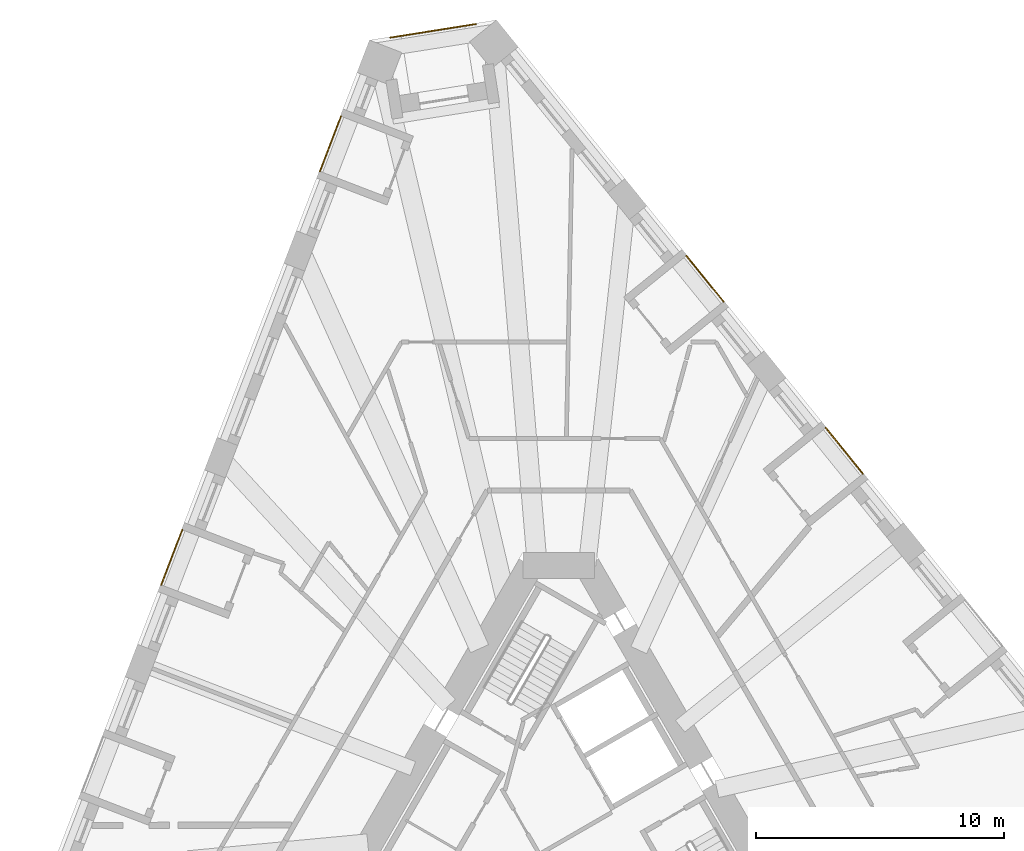
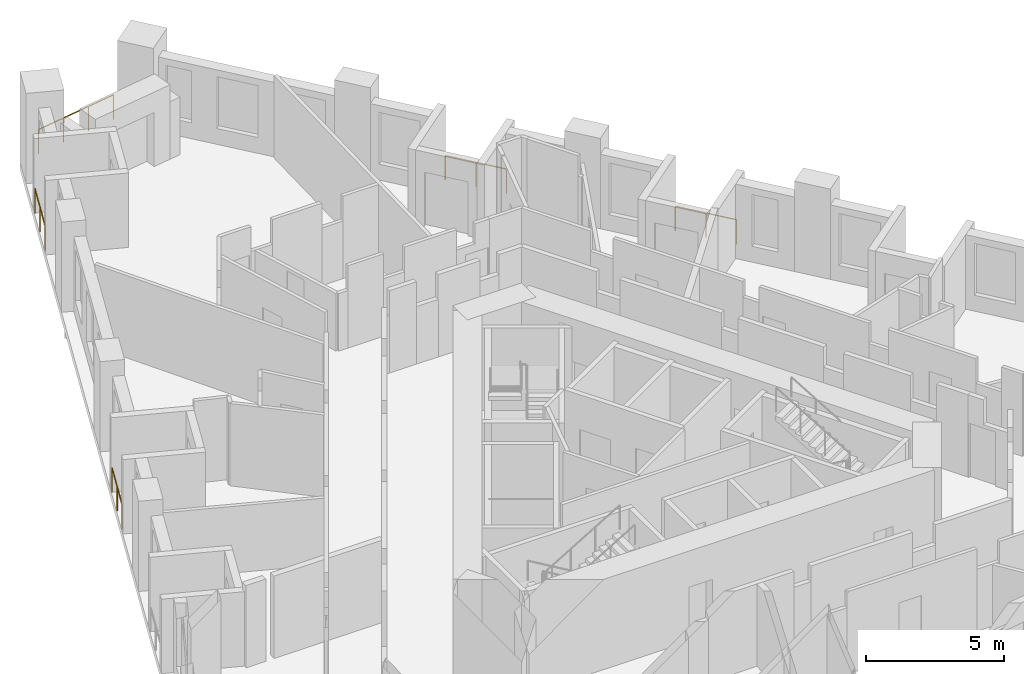
# One storey, part 14 of 14: 5 railings.
"""IFC4 building model written with IfcOpenShell, lengths in metres."""

from ifc_helpers import new_model, si_unit, direction, frame, origin, origin_2d, place, context, subcontext, project, spatial, circle, extrude, material, type_object, element, save


model = new_model("IFC4")

# Units and contexts
model_context = context("Model", 3, precision=1e-05, world=origin(), true_north=direction((0.0, 1.0)))
body_context = subcontext(model_context, "Body", "Model", "MODEL_VIEW")
ifc_project = project(units=[si_unit("LENGTHUNIT", "METRE"), si_unit("AREAUNIT", "SQUARE_METRE"), si_unit("VOLUMEUNIT", "CUBIC_METRE"), si_unit("PLANEANGLEUNIT", "RADIAN"), si_unit("MASSUNIT", "GRAM", prefix="KILO")], contexts=[model_context])

# Site, building, storey
site_placement = place(None, origin())
site = spatial("IfcSite", under=ifc_project, at=site_placement, CompositionType="ELEMENT")
building_placement = place(site_placement, origin())
building = spatial("IfcBuilding", under=site, at=building_placement, Name="Tramontana Tower", CompositionType="ELEMENT")
storey_placement = place(building_placement, frame((0.0, 0.0, 63.199951171875)))
storey = spatial("IfcBuildingStorey", under=building, at=storey_placement, Name="L13", CompositionType="ELEMENT", Elevation=63.199951171875)

# Railings
ifc_material = material(Name="Laminated glass balustrade", Category="glass")
railing_type = type_object("IfcRailingType", Name="GD1 Loggia glass balustrade 1100", PredefinedType="BALUSTRADE", material=ifc_material)
railing_1_placement = place(storey_placement, frame((-8.798828125, 28.61767578125, 0.0)))
element("IfcRailing", 1, at=railing_1_placement, inside=storey, type_object=railing_type, Name="Loggia balustrade L13 G1S0.1", PredefinedType="BALUSTRADE", context=body_context, shape_type="SweptSolid", body=[
    extrude(circle(Radius=0.02392578125, at=origin_2d()), frame((0.0, 0.0, 1.076171875), z_axis=(-0.35829926872, -0.933606787697, 0.0), x_axis=(0.933606787697, -0.35829926872, 0.0)), (0.0, 0.0, 1.0), 2.3828125),
    extrude(circle(Radius=0.02099609375, at=origin_2d()), origin(), (0.0, 0.0, 1.0), 1.052001953125),
    extrude(circle(Radius=0.02099609375, at=origin_2d()), frame((-0.4267578125, -1.1123046875, 0.0)), (0.0, 0.0, 1.0), 1.052001953125),
    extrude(circle(Radius=0.02099609375, at=origin_2d()), frame((-0.853759765625, -2.224609375, 0.0)), (0.0, 0.0, 1.0), 1.052001953125),
])
railing_2_placement = place(storey_placement, frame((-15.212646484375, 11.90869140625, 0.0)))
element("IfcRailing", 2, at=railing_2_placement, inside=storey, type_object=railing_type, Name="Loggia balustrade L13 G1S0.7", PredefinedType="BALUSTRADE", context=body_context, shape_type="SweptSolid", body=[
    extrude(circle(Radius=0.02392578125, at=origin_2d()), frame((0.0, 0.0, 1.076171875), z_axis=(-0.35838856932, -0.933572511046, 0.0), x_axis=(0.933572511046, -0.35838856932, 0.0)), (0.0, 0.0, 1.0), 2.3828125),
    extrude(circle(Radius=0.02099609375, at=origin_2d()), origin(), (0.0, 0.0, 1.0), 1.052001953125),
    extrude(circle(Radius=0.02099609375, at=origin_2d()), frame((-0.427001953125, -1.1123046875, 0.0)), (0.0, 0.0, 1.0), 1.052001953125),
    extrude(circle(Radius=0.02099609375, at=origin_2d()), frame((-0.85400390625, -2.224609375, 0.0)), (0.0, 0.0, 1.0), 1.052001953125),
])
railing_3_placement = place(storey_placement, frame((12.287841796875, 14.1748046875, 0.0)))
element("IfcRailing", 3, at=railing_3_placement, inside=storey, type_object=railing_type, Name="Loggia balustrade L13 G1S2.10", PredefinedType="BALUSTRADE", context=body_context, shape_type="SweptSolid", body=[
    extrude(circle(Radius=0.02392578125, at=origin_2d()), frame((0.0, 0.0, 1.076171875), z_axis=(-0.629319049918, 0.777147047482, 0.0), x_axis=(-0.777147047482, -0.629319049918, 0.0)), (0.0, 0.0, 1.0), 2.383056640625),
    extrude(circle(Radius=0.02099609375, at=origin_2d()), origin(), (0.0, 0.0, 1.0), 1.052001953125),
    extrude(circle(Radius=0.02099609375, at=origin_2d()), frame((-0.75, 0.926025390625, 0.0)), (0.0, 0.0, 1.0), 1.052001953125),
    extrude(circle(Radius=0.02099609375, at=origin_2d()), frame((-1.499755859375, 1.85205078125, 0.0)), (0.0, 0.0, 1.0), 1.052001953125),
])
railing_4_placement = place(storey_placement, frame((6.656005859375, 21.129638671875, 0.0)))
element("IfcRailing", 4, at=railing_4_placement, inside=storey, type_object=railing_type, Name="Loggia balustrade L13 G1S2.13", PredefinedType="BALUSTRADE", context=body_context, shape_type="SweptSolid", body=[
    extrude(circle(Radius=0.02392578125, at=origin_2d()), frame((0.0, 0.0, 1.076171875), z_axis=(-0.62930727886, 0.777156579316, 0.0), x_axis=(-0.777156579316, -0.62930727886, 0.0)), (0.0, 0.0, 1.0), 2.3828125),
    extrude(circle(Radius=0.02099609375, at=origin_2d()), origin(), (0.0, 0.0, 1.0), 1.052001953125),
    extrude(circle(Radius=0.02099609375, at=origin_2d()), frame((-0.749755859375, 0.92578125, 0.0)), (0.0, 0.0, 1.0), 1.052001953125),
    extrude(circle(Radius=0.02099609375, at=origin_2d()), frame((-1.49951171875, 1.851806640625, 0.0)), (0.0, 0.0, 1.0), 1.052001953125),
])
railing_5_placement = place(storey_placement, frame((-6.807861328125, 31.79638671875, 0.0)))
element("IfcRailing", 5, at=railing_5_placement, inside=storey, type_object=railing_type, Name="Corner loggia balustrade L13 K10", PredefinedType="BALUSTRADE", context=body_context, shape_type="SweptSolid", body=[
    extrude(circle(Radius=0.02392578125, at=origin_2d()), frame((0.0, 0.0, 1.076171875), z_axis=(0.987683654859, 0.156464046744, 0.0), x_axis=(-0.156464046744, 0.987683654859, 0.0)), (0.0, 0.0, 1.0), 3.5),
    extrude(circle(Radius=0.02099609375, at=origin_2d()), origin(), (0.0, 0.0, 1.0), 1.052001953125),
    extrude(circle(Radius=0.02099609375, at=origin_2d()), frame((1.15234375, 0.1826171875, 0.0)), (0.0, 0.0, 1.0), 1.052001953125),
    extrude(circle(Radius=0.02099609375, at=origin_2d()), frame((2.304443359375, 0.364990234375, 0.0)), (0.0, 0.0, 1.0), 1.052001953125),
    extrude(circle(Radius=0.02099609375, at=origin_2d()), frame((3.456787109375, 0.547607421875, 0.0)), (0.0, 0.0, 1.0), 1.052001953125),
])

save(model, "model.ifc")
